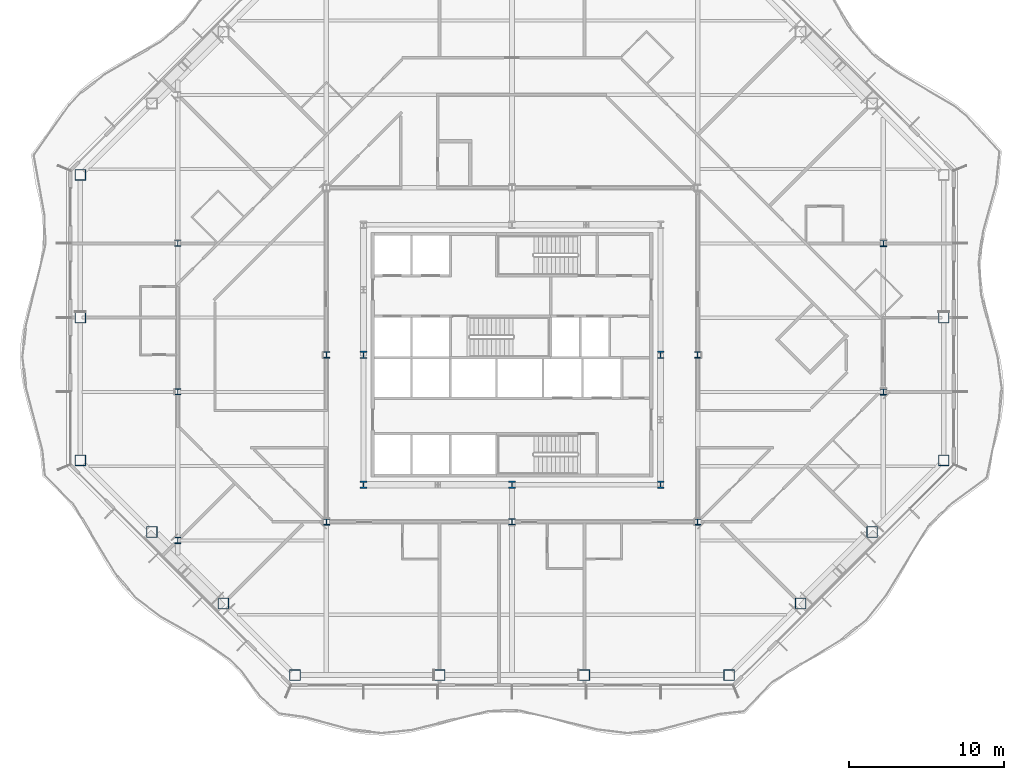
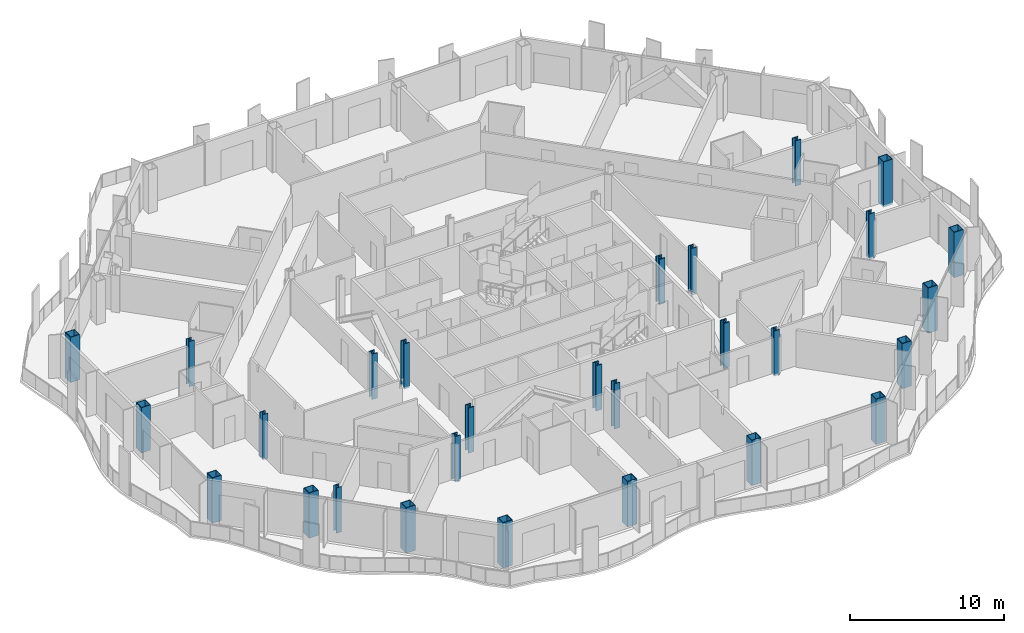
# One storey, part 1 of 21: 28 columns.
"""IFC4 building model written with IfcOpenShell, lengths in metres."""

import ifcopenshell
import ifcopenshell.guid

model = None  # the IFC model being written
_history = None  # IfcOwnerHistory: only IFC2X3 demands one
_inside = {}  # id of a spatial element -> (the spatial element, [elements in it])
_under = {}  # id of a project, library or spatial element -> (it, [spatial elements below it])
_declared = {}  # id of a project -> (the project, [libraries it declares])
_typed = {}  # id of a type object -> (the type object, [elements of that type])
_made_of = {}  # id of a material, layer set ... -> (it, [elements and type objects made of it])


def new_model(schema):
    """Start an empty IFC model of exactly this schema.

    Asked for "IFC4X3", IfcOpenShell would pick the latest addendum, in which some entities
    have other attributes; the version numbers below select the first issue.
    IFC2X3 requires an IfcOwnerHistory on every rooted entity: one is made here for all.
    """
    global model, _history
    if schema == "IFC4X3":
        model = ifcopenshell.file(schema_version=(4, 3, 0, 0))
    else:
        model = ifcopenshell.file(schema=schema)
    _inside.clear()
    _under.clear()
    _declared.clear()
    _typed.clear()
    _made_of.clear()
    _history = None
    if model.schema == "IFC2X3":
        org = make("IfcOrganization", Name="unknown")
        user = make(
            "IfcPersonAndOrganization",
            ThePerson=make("IfcPerson", FamilyName="unknown"),
            TheOrganization=org,
        )
        app = make(
            "IfcApplication",
            ApplicationDeveloper=org,
            Version="unknown",
            ApplicationFullName="unknown",
            ApplicationIdentifier="unknown",
        )
        _history = make(
            "IfcOwnerHistory",
            OwningUser=user,
            OwningApplication=app,
            ChangeAction="ADDED",
            CreationDate=0,
        )
    return model


def make(cls, **values):
    """One entity of the class cls with the attributes given. An attribute that is None is left unset."""
    return model.create_entity(
        cls, **{name: value for name, value in values.items() if value is not None}
    )


def rooted(cls, **values):
    """An entity with a GlobalId (a new one), such as an element, a storey or a relation."""
    return make(cls, GlobalId=ifcopenshell.guid.new(), OwnerHistory=_history, **values)


def si_unit(unit_type, name, prefix=None):
    """IfcSIUnit, for example si_unit("LENGTHUNIT", "METRE", prefix="MILLI")."""
    return make("IfcSIUnit", UnitType=unit_type, Prefix=prefix, Name=name)


def assignment(units):
    """IfcUnitAssignment: the units of a project."""
    return None if units is None else make("IfcUnitAssignment", Units=units)


def point(xyz):
    """IfcCartesianPoint."""
    return None if xyz is None else make("IfcCartesianPoint", Coordinates=xyz)


def direction(xyz):
    """IfcDirection."""
    return None if xyz is None else make("IfcDirection", DirectionRatios=xyz)


def frame(location, z_axis=None, x_axis=None):
    """IfcAxis2Placement3D, a coordinate frame: its origin and axes. An axis left out is left unset."""
    return make(
        "IfcAxis2Placement3D",
        Location=point(location),
        Axis=direction(z_axis),
        RefDirection=direction(x_axis),
    )


def frame_2d(location, x_axis=None):
    """IfcAxis2Placement2D, a coordinate frame in the plane: its origin and x axis."""
    return make(
        "IfcAxis2Placement2D", Location=point(location), RefDirection=direction(x_axis)
    )


def origin():
    """The frame at (0, 0, 0) with its axes left unset."""
    return frame((0.0, 0.0, 0.0))


def origin_2d():
    """The frame at (0, 0) in the plane with its x axis left unset."""
    return frame_2d((0.0, 0.0))


def place(relative_to, where):
    """IfcLocalPlacement: puts the frame where relative to a parent placement (None: the world)."""
    return make(
        "IfcLocalPlacement", PlacementRelTo=relative_to, RelativePlacement=where
    )


def context(
    kind, dimensions, precision=None, world=None, true_north=None, identifier=None
):
    """IfcGeometricRepresentationContext, for example the 3D "Model" context."""
    return make(
        "IfcGeometricRepresentationContext",
        ContextIdentifier=identifier,
        ContextType=kind,
        CoordinateSpaceDimension=dimensions,
        Precision=precision,
        WorldCoordinateSystem=world,
        TrueNorth=true_north,
    )


def subcontext(parent, identifier, kind, view, scale=None):
    """IfcGeometricRepresentationSubContext, for example "Body" below "Model"."""
    return make(
        "IfcGeometricRepresentationSubContext",
        ContextIdentifier=identifier,
        ContextType=kind,
        ParentContext=parent,
        TargetScale=scale,
        TargetView=view,
    )


def project(units=None, contexts=None):
    """IfcProject with its units and contexts."""
    return rooted(
        "IfcProject",
        Name="project",
        RepresentationContexts=contexts,
        UnitsInContext=assignment(units),
    )


def spatial(cls, under=None, at=None, **own):
    """A site, building, storey or space (cls), placed at a placement, below another one or the project."""
    s = rooted(cls, ObjectPlacement=at, **own)
    if under is not None:
        _under.setdefault(under.id(), (under, []))[1].append(s)
    return s


def profile(cls, at=None, kind="AREA", **sizes):
    """A parametric profile (cls). Its sizes go by their IFC names, for example OverallWidth=200.0."""
    return make(cls, ProfileType=kind, Position=at, **sizes)


def hollow_rectangle(**sizes):
    """IfcRectangleHollowProfileDef."""
    return profile("IfcRectangleHollowProfileDef", **sizes)


def i_section(**sizes):
    """IfcIShapeProfileDef."""
    return profile("IfcIShapeProfileDef", **sizes)


def extrude(swept, where, along, depth):
    """IfcExtrudedAreaSolid: the profile swept, set in the frame where, extruded along a direction by depth."""
    return make(
        "IfcExtrudedAreaSolid",
        SweptArea=swept,
        Position=where,
        ExtrudedDirection=direction(along),
        Depth=depth,
    )


def shape(context_of_items, identifier, shape_type, items):
    """IfcShapeRepresentation: the items that make up one representation, for example the "Body"."""
    return make(
        "IfcShapeRepresentation",
        ContextOfItems=context_of_items,
        RepresentationIdentifier=identifier,
        RepresentationType=shape_type,
        Items=items,
    )


def material(Name=None, Category=None):
    """IfcMaterial."""
    return make("IfcMaterial", Name=Name, Category=Category)


def material_profile(
    of_material, cross_section, Name=None, Category=None, Priority=None
):
    """IfcMaterialProfile: a cross section and its material."""
    return make(
        "IfcMaterialProfile",
        Name=Name,
        Material=of_material,
        Profile=cross_section,
        Priority=Priority,
        Category=Category,
    )


def profile_set(profiles, Name=None, composite=None):
    """IfcMaterialProfileSet."""
    return make(
        "IfcMaterialProfileSet",
        Name=Name,
        MaterialProfiles=profiles,
        CompositeProfile=composite,
    )


def made_of(thing, what):
    """Note that an element or type object is made of a material, layer set ...; save() writes the relation."""
    if what is not None:
        _made_of.setdefault(what.id(), (what, []))[1].append(thing)
    return thing


def type_object(cls, material=None, **own):
    """A type object (cls), such as IfcWallType, which elements share."""
    return made_of(rooted(cls, **own), material)


def element(
    cls,
    number,
    at=None,
    inside=None,
    cuts=None,
    type_object=None,
    material=None,
    context=None,
    identifier="Body",
    shape_type=None,
    held_by="IfcProductDefinitionShape",
    body=None,
    shapes=None,
    **own,
):
    """One element of the class cls, such as IfcWall. Its Tag is "e" and its number.

    at: its placement. inside: the storey or other place that contains it. cuts: it is an
    opening in that element (IfcRelVoidsElement). A single representation is given by context,
    identifier, shape_type and body (its items); several are given by shapes. held_by: the class
    of the entity that holds the representations. save() writes the other relations.
    """
    e = rooted(cls, Tag="e%d" % number, ObjectPlacement=at, **own)
    if body is not None:
        shapes = [shape(context, identifier, shape_type, body)]
    if shapes is not None:
        e.Representation = make(held_by, Representations=shapes)
    if inside is not None:
        _inside.setdefault(inside.id(), (inside, []))[1].append(e)
    if cuts is not None:
        rooted(
            "IfcRelVoidsElement", RelatingBuildingElement=cuts, RelatedOpeningElement=e
        )
    if type_object is not None:
        _typed.setdefault(type_object.id(), (type_object, []))[1].append(e)
    return made_of(e, material)


def aggregate(whole, parts):
    """IfcRelAggregates: a whole, such as a stair, and the parts it consists of."""
    return rooted("IfcRelAggregates", RelatingObject=whole, RelatedObjects=parts)


def save(model, path):
    """Write the relations noted so far, then the file.

    IfcRelAggregates (storeys below a building ...), IfcRelContainedInSpatialStructure (elements
    in a storey), IfcRelDefinesByType, IfcRelAssociatesMaterial and IfcRelDeclares: one each for
    every whole, place, type object, material and project.
    """
    for whole, parts in _under.values():
        aggregate(whole, parts)
    for where, things in _inside.values():
        rooted(
            "IfcRelContainedInSpatialStructure",
            RelatedElements=things,
            RelatingStructure=where,
        )
    for kind, things in _typed.values():
        rooted("IfcRelDefinesByType", RelatedObjects=things, RelatingType=kind)
    for what, things in _made_of.values():
        rooted("IfcRelAssociatesMaterial", RelatedObjects=things, RelatingMaterial=what)
    for by, libraries in _declared.values():
        rooted("IfcRelDeclares", RelatingContext=by, RelatedDefinitions=libraries)
    model.write(path)


model = new_model("IFC4")

# Units and contexts
model_context = context("Model", 3, precision=1e-05, world=origin(), true_north=direction((0.0, 1.0)))
body_context = subcontext(model_context, "Body", "Model", "MODEL_VIEW")
ifc_project = project(units=[si_unit("LENGTHUNIT", "METRE"), si_unit("AREAUNIT", "SQUARE_METRE"), si_unit("VOLUMEUNIT", "CUBIC_METRE"), si_unit("PLANEANGLEUNIT", "RADIAN"), si_unit("MASSUNIT", "GRAM", prefix="KILO")], contexts=[model_context])

# Site, building, storey
site_placement = place(None, origin())
site = spatial("IfcSite", under=ifc_project, at=site_placement, CompositionType="ELEMENT")
building_placement = place(site_placement, origin())
building = spatial("IfcBuilding", under=site, at=building_placement, Name="Cairn Pilgrim Tower", CompositionType="ELEMENT")
storey_placement = place(building_placement, frame((0.0, 0.0, 129.0)))
storey = spatial("IfcBuildingStorey", under=building, at=storey_placement, Name="L31", CompositionType="ELEMENT", Elevation=129.0)

# Columns
ifc_material_1 = material(Name="Structural steel S460M", Category="steel")
ifc_material_profile_1 = material_profile(ifc_material_1, hollow_rectangle(XDim=0.699951171875, YDim=0.699951171875, WallThickness=0.0400390625, at=origin_2d()), Name="BOX 700x700x40")
ifc_profile_set_1 = profile_set([ifc_material_profile_1], Name="Structural steel S460M")
column_type_1 = type_object("IfcColumnType", Name="BOX 700x700x40", PredefinedType="COLUMN", material=ifc_profile_set_1)
for number, where, z_axis, x_axis, name in (
    (1, (-6.8271484375, -18.300048828125, -0.14990234375), (0.0, 0.0, 1.0), (1.0, 0.0, 0.0), "PC2-S1"),
    (2, (2.5244140625, -18.300048828125, -0.14990234375), (0.0, 0.0, 1.0), (1.0, 0.0, 0.0), "PC2-S2"),
    (3, (11.875732421875, -18.300048828125, -0.14990234375), (0.0, 0.0, 1.0), (1.0, 0.0, 0.0), "PC2-S3"),
    (4, (21.227294921875, -18.300048828125, -0.14990234375), (0.0, 0.0, 1.0), (1.0, 0.0, 0.0), "PC2-SE1"),
    (5, (25.8515625, -13.67578125, -0.14990234375), (0.0, 0.0, 1.0), (1.0, 0.0, 0.0), "PC2-SE2"),
    (6, (30.4755859375, -9.051513671875, -0.14990234375), (0.0, 0.0, 1.0), (1.0, 0.0, 0.0), "PC2-SE3"),
    (7, (35.10009765625, -4.42724609375, -0.14990234375), (0.0, 0.0, 1.0), (1.0, 0.0, 0.0), "PC2-E1"),
    (8, (35.10009765625, 4.800048828125, -0.14990234375), (0.0, 0.0, 1.0), (1.0, 0.0, 0.0), "PC2-E2"),
    (9, (-20.699951171875, 14.027099609375, -0.14990234375), (0.0, 0.0, 1.0), (1.0, 0.0, 0.0), "PC2-W1"),
    (10, (-20.699951171875, 4.800048828125, -0.14990234375), (0.0, 0.0, 1.0), (1.0, 0.0, 0.0), "PC2-W2"),
    (11, (-20.699951171875, -4.42724609375, -0.14990234375), (0.0, 0.0, 1.0), (1.0, 0.0, 0.0), "PC2-SW1"),
    (12, (-16.07568359375, -9.051513671875, -0.14990234375), (0.0, 0.0, 1.0), (1.0, 0.0, 0.0), "PC2-SW2"),
    (13, (-11.451416015625, -13.67578125, -0.14990234375), (0.0, 0.0, 1.0), (1.0, 0.0, 0.0), "PC2-SW3"),
):
    element("IfcColumn", number, at=place(storey_placement, frame(where, z_axis=z_axis, x_axis=x_axis)), inside=storey, type_object=column_type_1, Name=name, PredefinedType="COLUMN", context=body_context, shape_type="SweptSolid", body=[
        extrude(hollow_rectangle(XDim=0.699951171875, YDim=0.699951171875, WallThickness=0.0400390625, at=origin_2d()), origin(), (0.0, 0.0, 1.0), 3.599853515625),
    ])
ifc_material_2 = material(Name="Structural steel S355J2", Category="steel")
ifc_material_profile_2 = material_profile(ifc_material_2, i_section(OverallWidth=0.39892578125, OverallDepth=0.39306640625, WebThickness=0.022705078125, FlangeThickness=0.03662109375, FilletRadius=0.014892578125, at=origin_2d()), Name="HD 400x287")
ifc_profile_set_2 = profile_set([ifc_material_profile_2], Name="Structural steel S355J2")
column_type_2 = type_object("IfcColumnType", Name="HD 400x287", PredefinedType="COLUMN", material=ifc_profile_set_2)
for number, where, z_axis, x_axis, name in (
    (14, (-14.39990234375, -9.60009765625, -0.14990234375), (0.0, 0.0, 1.0), (1.0, 0.0, 0.0), "WC-WW-2"),
    (15, (-14.39990234375, 0.0, -0.14990234375), (0.0, 0.0, 1.0), (1.0, 0.0, 0.0), "WC-WW+0"),
    (16, (-14.39990234375, 9.60009765625, -0.14990234375), (0.0, 0.0, 1.0), (1.0, 0.0, 0.0), "WC-WW+2"),
):
    element("IfcColumn", number, at=place(storey_placement, frame(where, z_axis=z_axis, x_axis=x_axis)), inside=storey, type_object=column_type_2, Name=name, PredefinedType="COLUMN", context=body_context, shape_type="SweptSolid", body=[
        extrude(i_section(OverallWidth=0.39892578125, OverallDepth=0.39306640625, WebThickness=0.022705078125, FlangeThickness=0.03662109375, FilletRadius=0.014892578125, at=origin_2d()), origin(), (0.0, 0.0, 1.0), 3.599853515625),
    ])
ifc_material_profile_3 = material_profile(ifc_material_1, i_section(OverallWidth=0.408935546875, OverallDepth=0.425048828125, WebThickness=0.03271484375, FlangeThickness=0.052490234375, FilletRadius=0.014892578125, at=origin_2d()), Name="HD 400x421")
ifc_profile_set_3 = profile_set([ifc_material_profile_3], Name="Structural steel S460M")
column_type_3 = type_object("IfcColumnType", Name="HD 400x421", PredefinedType="COLUMN", material=ifc_profile_set_3)
for number, where, z_axis, x_axis, name in (
    (17, (-4.800048828125, -8.39990234375, -0.14990234375), (0.0, 0.0, 1.0), (1.0, 0.0, 0.0), "IC-1"),
    (18, (7.199951171875, -8.39990234375, -0.14990234375), (0.0, 0.0, 1.0), (1.0, 0.0, 0.0), "IC-2"),
    (19, (19.199951171875, -8.39990234375, -0.14990234375), (0.0, 0.0, 1.0), (1.0, 0.0, 0.0), "IC-3"),
    (20, (-4.800048828125, 2.39990234375, -0.14990234375), (0.0, 0.0, 1.0), (1.0, 0.0, 0.0), "IC-4"),
    (21, (19.199951171875, 2.39990234375, -0.14990234375), (0.0, 0.0, 1.0), (1.0, 0.0, 0.0), "IC-5"),
    (22, (31.199951171875, 0.0, -0.14990234375), (0.0, 0.0, 1.0), (1.0, 0.0, 0.0), "WC-WE+0"),
    (23, (31.199951171875, 9.60009765625, -0.14990234375), (0.0, 0.0, 1.0), (1.0, 0.0, 0.0), "WC-WE+2"),
):
    element("IfcColumn", number, at=place(storey_placement, frame(where, z_axis=z_axis, x_axis=x_axis)), inside=storey, type_object=column_type_3, Name=name, PredefinedType="COLUMN", context=body_context, shape_type="SweptSolid", body=[
        extrude(i_section(OverallWidth=0.408935546875, OverallDepth=0.425048828125, WebThickness=0.03271484375, FlangeThickness=0.052490234375, FilletRadius=0.014892578125, at=origin_2d()), origin(), (0.0, 0.0, 1.0), 3.599853515625),
    ])
ifc_material_profile_4 = material_profile(ifc_material_1, i_section(OverallWidth=0.424072265625, OverallDepth=0.47412109375, WebThickness=0.047607421875, FlangeThickness=0.0771484375, FilletRadius=0.014892578125, at=origin_2d()), Name="HD 400x634")
ifc_profile_set_4 = profile_set([ifc_material_profile_4], Name="Structural steel S460M")
column_type_4 = type_object("IfcColumnType", Name="HD 400x634", PredefinedType="COLUMN", material=ifc_profile_set_4)
for number, where, z_axis, x_axis, name in (
    (24, (-2.39990234375, -6.0, -0.14990234375), (0.0, 0.0, 1.0), (1.0, 0.0, 0.0), "KC-1"),
    (25, (7.199951171875, -6.0, -0.14990234375), (0.0, 0.0, 1.0), (1.0, 0.0, 0.0), "KC-2"),
    (26, (16.800048828125, -6.0, -0.14990234375), (0.0, 0.0, 1.0), (1.0, 0.0, 0.0), "KC-3"),
    (27, (-2.39990234375, 2.39990234375, -0.14990234375), (0.0, 0.0, 1.0), (1.0, 0.0, 0.0), "KC-4"),
    (28, (16.800048828125, 2.39990234375, -0.14990234375), (0.0, 0.0, 1.0), (1.0, 0.0, 0.0), "KC-5"),
):
    element("IfcColumn", number, at=place(storey_placement, frame(where, z_axis=z_axis, x_axis=x_axis)), inside=storey, type_object=column_type_4, Name=name, PredefinedType="COLUMN", context=body_context, shape_type="SweptSolid", body=[
        extrude(i_section(OverallWidth=0.424072265625, OverallDepth=0.47412109375, WebThickness=0.047607421875, FlangeThickness=0.0771484375, FilletRadius=0.014892578125, at=origin_2d()), origin(), (0.0, 0.0, 1.0), 3.599853515625),
    ])

save(model, "model.ifc")
